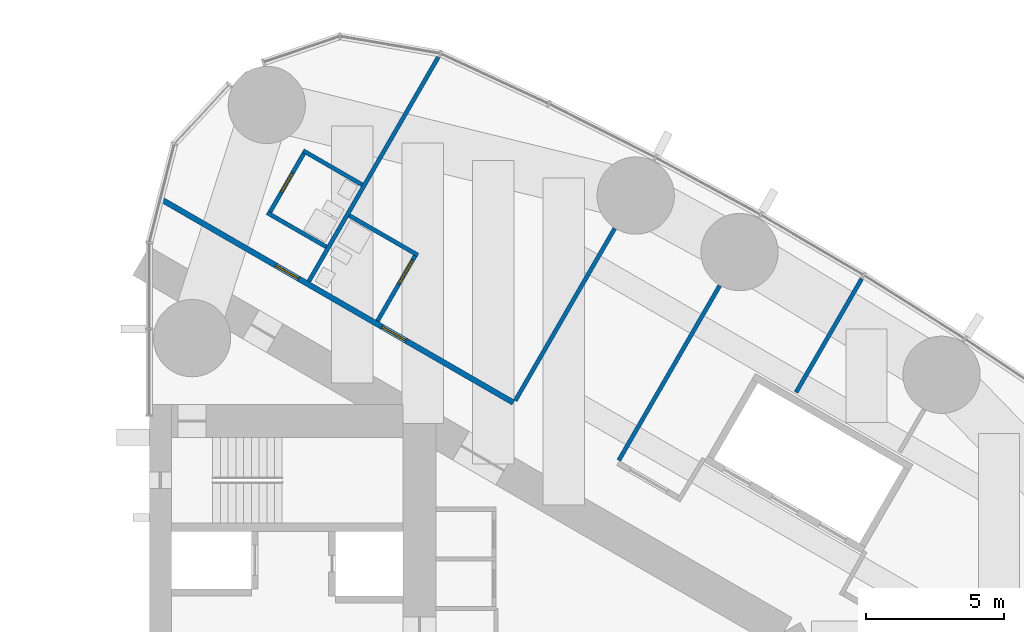
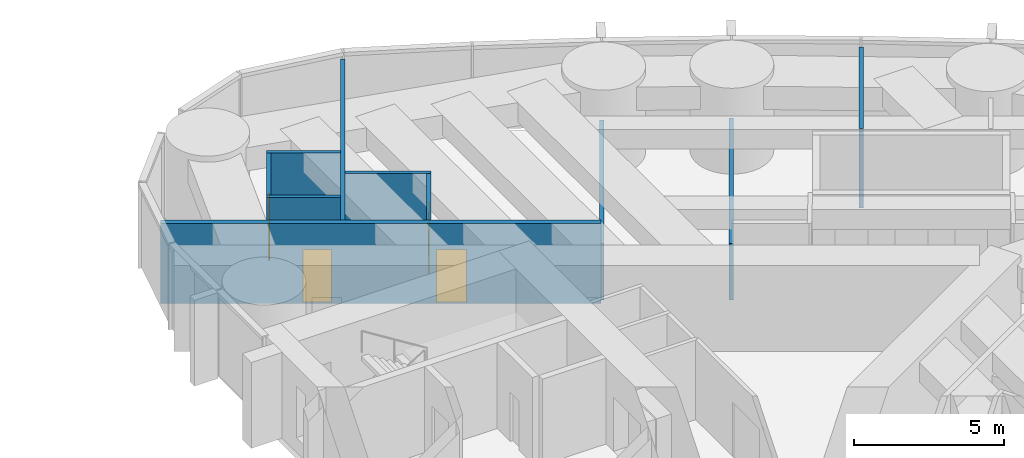
# One storey, part 16 of 19: 10 walls, 4 doors, 4 openings.
"""IFC4 building model written with IfcOpenShell, lengths in metres."""

from ifc_helpers import new_model, si_unit, direction, frame, frame_2d, origin, place, context, subcontext, project, spatial, rectangle, extrude, material, layer, layer_set, type_object, element, fill, save


model = new_model("IFC4")

# Units and contexts
model_context = context("Model", 3, precision=1e-05, world=origin(), true_north=direction((0.0, 1.0)))
body_context = subcontext(model_context, "Body", "Model", "MODEL_VIEW")
ifc_project = project(units=[si_unit("LENGTHUNIT", "METRE"), si_unit("AREAUNIT", "SQUARE_METRE"), si_unit("VOLUMEUNIT", "CUBIC_METRE"), si_unit("PLANEANGLEUNIT", "RADIAN"), si_unit("MASSUNIT", "GRAM", prefix="KILO")], contexts=[model_context])

# Site, building, storey
site_placement = place(None, origin())
site = spatial("IfcSite", under=ifc_project, at=site_placement, CompositionType="ELEMENT")
building_placement = place(site_placement, origin())
building = spatial("IfcBuilding", under=site, at=building_placement, Name="Lancet Gate Hotel", CompositionType="ELEMENT")
storey_placement = place(building_placement, frame((0.0, 0.0, 194.800048828125)))
storey = spatial("IfcBuildingStorey", under=building, at=storey_placement, Name="L52", CompositionType="ELEMENT", Elevation=194.800048828125)

# Wall
ifc_material_1 = material(Name="Moisture resistant board partition")
ifc_layer_1 = layer(ifc_material_1, 0.14990234375)
ifc_layer_set_1 = layer_set([ifc_layer_1], Name="Bathroom wall 150")
wall_type_1 = type_object("IfcWallType", Name="Bathroom wall 150", PredefinedType="PARTITIONING", material=ifc_layer_set_1)
wall_1_placement = place(storey_placement, frame((34.74853515625, 15.4462890625, 0.0), z_axis=(0.0, 0.0, 1.0), x_axis=(0.866018712932, -0.500011588718, 0.0)))
element("IfcWall", 1, at=wall_1_placement, inside=storey, type_object=wall_type_1, Name="T2 bathroom wall 150 L52", PredefinedType="PARTITIONING", context=body_context, shape_type="SweptSolid", body=[
    extrude(rectangle(XDim=2.875, YDim=0.14990234375, at=frame_2d((1.4375, 0.0))), origin(), (0.0, 0.0, 1.0), 3.25),
])

# Wall, opening, door
wall_2_placement = place(storey_placement, frame((35.7734375, 11.621337890625, 0.0), z_axis=(0.0, 0.0, 1.0), x_axis=(0.49998411664, 0.866034573852, 0.0)))
wall_2 = element("IfcWall", 2, at=wall_2_placement, inside=storey, type_object=wall_type_1, Name="T2 bathroom wall 150 L52", PredefinedType="PARTITIONING", context=body_context, shape_type="SweptSolid", body=[
    extrude(rectangle(XDim=2.7998046875, YDim=0.14990234375, at=frame_2d((1.39990234375, 0.0))), origin(), (0.0, 0.0, 1.0), 3.25),
])
opening_1_placement = place(wall_2_placement, frame((1.550048828125, 0.0, 0.0)))
opening_1 = element("IfcOpeningElement", 3, at=opening_1_placement, cuts=wall_2, Name="Opening 5262-B", PredefinedType="OPENING", context=body_context, shape_type="SweptSolid", body=[
    extrude(rectangle(XDim=1.0, YDim=2.199951171875, at=frame_2d((0.5, 1.10009765625))), frame((0.0, 0.0849609375, 0.0), z_axis=(0.0, -1.0, 0.0), x_axis=(1.0, 0.0, 0.0)), (0.0, 0.0, 1.0), 0.169921875),
])
ifc_material_2 = material(Name="Timber door set", Category="wood")
door_type_1 = type_object("IfcDoorType", Name="Accessible en-suite door 1000", OperationType="SINGLE_SWING_RIGHT", PredefinedType="DOOR", material=ifc_material_2)
door_1_placement = place(opening_1_placement, origin())
door_1 = element("IfcDoor", 4, at=door_1_placement, inside=storey, type_object=door_type_1, Name="5262-B", OperationType="SINGLE_SWING_RIGHT", OverallHeight=2.199951171875, OverallWidth=1.0, PredefinedType="DOOR", context=body_context, shape_type="SweptSolid", body=[
    extrude(rectangle(XDim=1.0, YDim=2.199951171875, at=frame_2d((0.5, 1.10009765625))), frame((0.0, 0.02490234375, 0.0), z_axis=(0.0, -1.0, 0.0), x_axis=(1.0, 0.0, 0.0)), (0.0, 0.0, 1.0), 0.050048828125),
])
fill(opening_1, door_1)

# Wall
wall_3_placement = place(storey_placement, frame((33.0751953125, 17.798095703125, 0.0), z_axis=(0.0, 0.0, 1.0), x_axis=(0.866006523861, -0.500032699561, 0.0)))
element("IfcWall", 5, at=wall_3_placement, inside=storey, type_object=wall_type_1, Name="T2 bathroom wall 150 L52", PredefinedType="PARTITIONING", context=body_context, shape_type="SweptSolid", body=[
    extrude(rectangle(XDim=2.474853515625, YDim=0.14990234375, at=frame_2d((1.2373046875, 0.0))), origin(), (0.0, 0.0, 1.0), 3.25),
])

# Wall, opening, door
wall_4_placement = place(storey_placement, frame((31.840087890625, 15.5087890625, 0.0), z_axis=(0.0, 0.0, 1.0), x_axis=(0.500006934395, 0.866021400173, 0.0)))
wall_4 = element("IfcWall", 6, at=wall_4_placement, inside=storey, type_object=wall_type_1, Name="T2 bathroom wall 150 L52", PredefinedType="PARTITIONING", context=body_context, shape_type="SweptSolid", body=[
    extrude(rectangle(XDim=2.60009765625, YDim=0.14990234375, at=frame_2d((1.300048828125, 0.0))), origin(), (0.0, 0.0, 1.0), 3.25),
])
opening_2_placement = place(wall_4_placement, frame((0.89990234375, 0.0, 0.0)))
opening_2 = element("IfcOpeningElement", 7, at=opening_2_placement, cuts=wall_4, Name="Opening 5264-B", PredefinedType="OPENING", context=body_context, shape_type="SweptSolid", body=[
    extrude(rectangle(XDim=0.800048828125, YDim=2.199951171875, at=frame_2d((0.39990234375, 1.10009765625))), frame((0.0, 0.0849609375, 0.0), z_axis=(0.0, -1.0, 0.0), x_axis=(1.0, 0.0, 0.0)), (0.0, 0.0, 1.0), 0.169921875),
])
ifc_material_3 = material(Name="Timber door set", Category="wood")
door_type_2 = type_object("IfcDoorType", Name="Bathroom door 800", OperationType="SINGLE_SWING_RIGHT", PredefinedType="DOOR", material=ifc_material_3)
door_2_placement = place(opening_2_placement, origin())
door_2 = element("IfcDoor", 8, at=door_2_placement, inside=storey, type_object=door_type_2, Name="5264-B", OperationType="SINGLE_SWING_RIGHT", OverallHeight=2.199951171875, OverallWidth=0.800048828125, PredefinedType="DOOR", context=body_context, shape_type="SweptSolid", body=[
    extrude(rectangle(XDim=0.800048828125, YDim=2.199951171875, at=frame_2d((0.39990234375, 1.10009765625))), frame((0.0, 0.02490234375, 0.0), z_axis=(0.0, -1.0, 0.0), x_axis=(1.0, 0.0, 0.0)), (0.0, 0.0, 1.0), 0.050048828125),
])
fill(opening_2, door_2)

# Wall
wall_5_placement = place(storey_placement, frame((31.775146484375, 15.54638671875, 0.0), z_axis=(0.0, 0.0, 1.0), x_axis=(0.866031185235, -0.4999899861, 0.0)))
element("IfcWall", 9, at=wall_5_placement, inside=storey, type_object=wall_type_1, Name="T2 bathroom wall 150 L52", PredefinedType="PARTITIONING", context=body_context, shape_type="SweptSolid", body=[
    extrude(rectangle(XDim=2.47509765625, YDim=0.14990234375, at=frame_2d((1.237548828125, 0.0))), origin(), (0.0, 0.0, 1.0), 3.25),
])

# Wall, openings, doors
ifc_material_4 = material(Name="Gypsum board partition")
ifc_layer_2 = layer(ifc_material_4, 0.199951171875)
ifc_layer_set_2 = layer_set([ifc_layer_2], Name="Corridor wall 200")
wall_type_2 = type_object("IfcWallType", Name="Corridor wall 200", PredefinedType="PARTITIONING", material=ifc_layer_set_2)
wall_6_placement = place(storey_placement, frame((27.95947265625, 16.017333984375, 0.0), z_axis=(0.0, 0.0, 1.0), x_axis=(0.866024165033, -0.500002145574, 0.0)))
wall_6 = element("IfcWall", 10, at=wall_6_placement, inside=storey, type_object=wall_type_2, Name="T2 corridor wall 200 L52", PredefinedType="PARTITIONING", context=body_context, shape_type="SweptSolid", body=[
    extrude(rectangle(XDim=14.708984375, YDim=0.199951171875, at=frame_2d((7.3544921875, 0.0))), origin(), (0.0, 0.0, 1.0), 3.25),
])
opening_3_placement = place(wall_6_placement, frame((9.215087890625, 0.0, 0.0)))
opening_3 = element("IfcOpeningElement", 11, at=opening_3_placement, cuts=wall_6, Name="Opening 5262-E", PredefinedType="OPENING", context=body_context, shape_type="SweptSolid", body=[
    extrude(rectangle(XDim=1.0, YDim=2.199951171875, at=frame_2d((0.5, 1.10009765625))), frame((0.0, 0.10986328125, 0.0), z_axis=(0.0, -1.0, 0.0), x_axis=(1.0, 0.0, 0.0)), (0.0, 0.0, 1.0), 0.219970703125),
])
opening_4_placement = place(wall_6_placement, frame((4.764892578125, 0.0, 0.0)))
opening_4 = element("IfcOpeningElement", 12, at=opening_4_placement, cuts=wall_6, Name="Opening 5264-E", PredefinedType="OPENING", context=body_context, shape_type="SweptSolid", body=[
    extrude(rectangle(XDim=0.949951171875, YDim=2.199951171875, at=frame_2d((0.47509765625, 1.10009765625))), frame((0.0, 0.10986328125, 0.0), z_axis=(0.0, -1.0, 0.0), x_axis=(1.0, 0.0, 0.0)), (0.0, 0.0, 1.0), 0.219970703125),
])
ifc_material_5 = material(Name="Timber door set", Category="wood")
door_type_3 = type_object("IfcDoorType", Name="Accessible guest room door 1000", OperationType="SINGLE_SWING_LEFT", PredefinedType="DOOR", material=ifc_material_5)
door_3_placement = place(opening_3_placement, origin())
door_3 = element("IfcDoor", 13, at=door_3_placement, inside=storey, type_object=door_type_3, Name="5262-E", OperationType="SINGLE_SWING_LEFT", OverallHeight=2.199951171875, OverallWidth=1.0, PredefinedType="DOOR", context=body_context, shape_type="SweptSolid", body=[
    extrude(rectangle(XDim=1.0, YDim=2.199951171875, at=frame_2d((0.5, 1.10009765625))), frame((0.0, 0.02490234375, 0.0), z_axis=(0.0, -1.0, 0.0), x_axis=(1.0, 0.0, 0.0)), (0.0, 0.0, 1.0), 0.050048828125),
])
fill(opening_3, door_3)
ifc_material_6 = material(Name="Timber door set", Category="wood")
door_type_4 = type_object("IfcDoorType", Name="Guest room entry door 950", OperationType="SINGLE_SWING_LEFT", PredefinedType="DOOR", material=ifc_material_6)
door_4_placement = place(opening_4_placement, origin())
door_4 = element("IfcDoor", 14, at=door_4_placement, inside=storey, type_object=door_type_4, Name="5264-E", OperationType="SINGLE_SWING_LEFT", OverallHeight=2.199951171875, OverallWidth=0.949951171875, PredefinedType="DOOR", context=body_context, shape_type="SweptSolid", body=[
    extrude(rectangle(XDim=0.949951171875, YDim=2.199951171875, at=frame_2d((0.47509765625, 1.10009765625))), frame((0.0, 0.02490234375, 0.0), z_axis=(0.0, -1.0, 0.0), x_axis=(1.0, 0.0, 0.0)), (0.0, 0.0, 1.0), 0.050048828125),
])
fill(opening_4, door_4)

# Walls
ifc_material_7 = material(Name="Gypsum board partition")
ifc_layer_3 = layer(ifc_material_7, 0.14990234375)
ifc_layer_set_3 = layer_set([ifc_layer_3], Name="Party wall 150")
wall_type_3 = type_object("IfcWallType", Name="Party wall 150", PredefinedType="PARTITIONING", material=ifc_layer_set_3)
wall_7_placement = place(storey_placement, frame((33.28369140625, 13.058837890625, 0.0), z_axis=(0.0, 0.0, 1.0), x_axis=(0.499985904184, 0.866033541855, 0.0)))
element("IfcWall", 15, at=wall_7_placement, inside=storey, type_object=wall_type_3, Name="T2 party wall 150 L52", PredefinedType="PARTITIONING", context=body_context, shape_type="SweptSolid", body=[
    extrude(rectangle(XDim=9.385498046875, YDim=0.14990234375, at=frame_2d((4.69287109375, 0.0))), origin(), (0.0, 0.0, 1.0), 3.25),
])
wall_8_placement = place(storey_placement, frame((40.769287109375, 8.737060546875, 0.0), z_axis=(0.0, 0.0, 1.0), x_axis=(0.500013115284, 0.866017831539, 0.0)))
element("IfcWall", 16, at=wall_8_placement, inside=storey, type_object=wall_type_3, Name="T2 party wall 150 L52", PredefinedType="PARTITIONING", context=body_context, shape_type="SweptSolid", body=[
    extrude(rectangle(XDim=7.197998046875, YDim=0.14990234375, at=frame_2d((3.59912109375, 0.0))), origin(), (0.0, 0.0, 1.0), 2.300048828125),
])
wall_9_placement = place(storey_placement, frame((44.521484375, 6.57080078125, 0.0), z_axis=(0.0, 0.0, 1.0), x_axis=(0.500020376429, 0.866013639128, 0.0)))
element("IfcWall", 17, at=wall_9_placement, inside=storey, type_object=wall_type_3, Name="T2 party wall 150 L52", PredefinedType="PARTITIONING", context=body_context, shape_type="SweptSolid", body=[
    extrude(rectangle(XDim=7.306396484375, YDim=0.14990234375, at=frame_2d((3.6533203125, 0.0))), origin(), (0.0, 0.0, 1.0), 2.300048828125),
])
wall_10_placement = place(storey_placement, frame((50.949951171875, 9.037353515625, 0.0), z_axis=(0.0, 0.0, 1.0), x_axis=(0.499988022762, 0.866032318735, 0.0)))
element("IfcWall", 18, at=wall_10_placement, inside=storey, type_object=wall_type_3, Name="T2 party wall 150 L52", PredefinedType="PARTITIONING", context=body_context, shape_type="SweptSolid", body=[
    extrude(rectangle(XDim=4.748046875, YDim=0.14990234375, at=frame_2d((2.3740234375, 0.0))), origin(), (0.0, 0.0, 1.0), 3.25),
])

save(model, "model.ifc")
